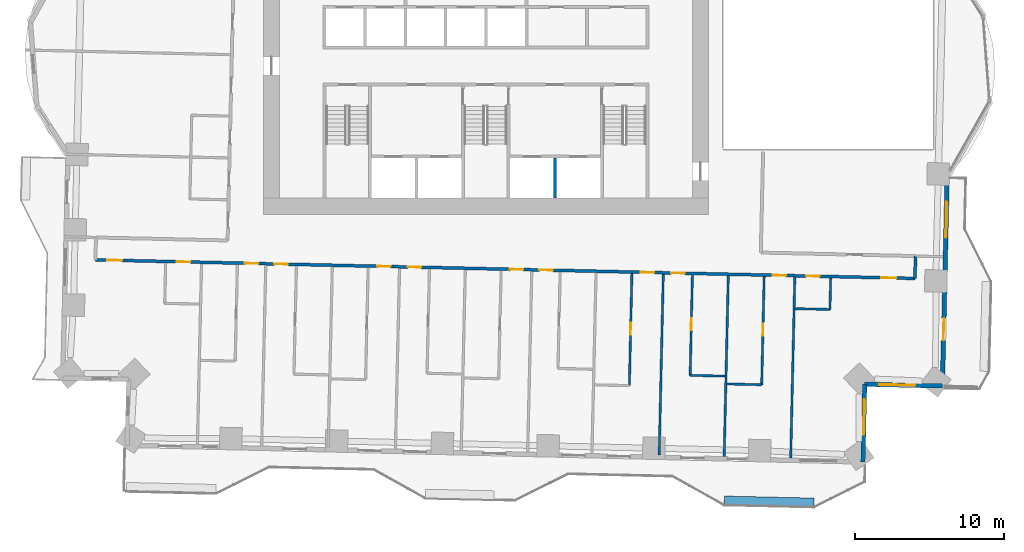
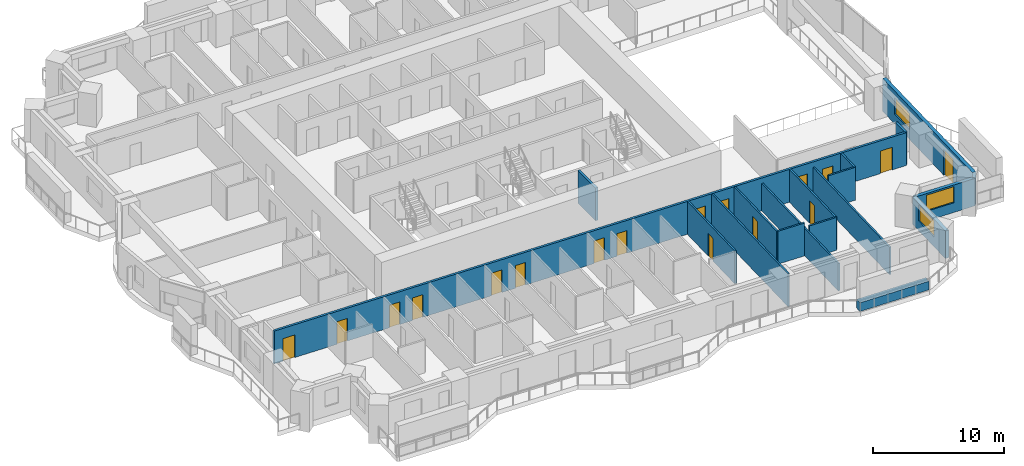
# One storey, part 10 of 20: 17 doors, 17 walls, 3 windows, 20 openings.
"""IFC4 building model written with IfcOpenShell, lengths in metres."""

from ifc_helpers import new_model, si_unit, direction, frame, frame_2d, origin, place, context, subcontext, project, spatial, rectangle, extrude, material, layer, layer_set, type_object, element, fill, save


model = new_model("IFC4")

# Units and contexts
model_context = context("Model", 3, precision=1e-05, world=origin(), true_north=direction((0.0, 1.0)))
body_context = subcontext(model_context, "Body", "Model", "MODEL_VIEW")
ifc_project = project(units=[si_unit("LENGTHUNIT", "METRE"), si_unit("AREAUNIT", "SQUARE_METRE"), si_unit("VOLUMEUNIT", "CUBIC_METRE"), si_unit("PLANEANGLEUNIT", "RADIAN"), si_unit("MASSUNIT", "GRAM", prefix="KILO")], contexts=[model_context])

# Site, building, storey
site_placement = place(None, origin())
site = spatial("IfcSite", under=ifc_project, at=site_placement, CompositionType="ELEMENT")
building_placement = place(site_placement, origin())
building = spatial("IfcBuilding", under=site, at=building_placement, Name="Mangrove Gate Tower", CompositionType="ELEMENT")
storey_placement = place(building_placement, frame((0.0, 0.0, 60.300048828125)))
storey = spatial("IfcBuildingStorey", under=building, at=storey_placement, Name="L14", CompositionType="ELEMENT", Elevation=60.300048828125)

# Wall
ifc_material_1 = material(Name="Concrete C70/85", Category="concrete")
ifc_layer_1 = layer(ifc_material_1, 0.199951171875)
ifc_layer_set_1 = layer_set([ifc_layer_1], Name="Core shaft wall 200 C70/85")
wall_type_1 = type_object("IfcWallType", Name="Core shaft wall 200 C70/85", PredefinedType="SHEAR", material=ifc_layer_set_1)
wall_1_placement = place(storey_placement, frame((4.625, -10.800048828125, 0.0), z_axis=(0.0, 0.0, 1.0), x_axis=(0.0, 1.0, 0.0)))
element("IfcWall", 1, at=wall_1_placement, inside=storey, type_object=wall_type_1, Name="WALL-L14-CORE-18", PredefinedType="SHEAR", context=body_context, shape_type="SweptSolid", body=[
    extrude(rectangle(XDim=2.699951171875, YDim=0.199951171875, at=frame_2d((1.35009765625, 0.0))), origin(), (0.0, 0.0, 1.0), 3.050048828125),
])

# Wall, openings, doors
ifc_material_2 = material(Name="Gypsum board on steel stud, EI 60", Category="steel")
ifc_layer_2 = layer(ifc_material_2, 0.199951171875)
ifc_layer_set_2 = layer_set([ifc_layer_2], Name="Corridor wall EI 60")
wall_type_2 = type_object("IfcWallType", Name="Corridor wall EI 60", PredefinedType="PARTITIONING", material=ifc_layer_set_2)
wall_2_placement = place(storey_placement, frame((-26.1259765625, -14.924072265625, 0.0), z_axis=(0.0, 0.0, 1.0), x_axis=(0.999742687583, -0.0226838847, 0.0)))
wall_2 = element("IfcWall", 2, at=wall_2_placement, inside=storey, type_object=wall_type_2, Name="WALL-L14-034", PredefinedType="PARTITIONING", context=body_context, shape_type="SweptSolid", body=[
    extrude(rectangle(XDim=54.836181640625, YDim=0.199951171875, at=frame_2d((27.41796875, 0.0))), origin(), (0.0, 0.0, 1.0), 3.050048828125),
])
opening_1_placement = place(wall_2_placement, frame((0.77490234375, 0.0, 0.0)))
opening_1 = element("IfcOpeningElement", 3, at=opening_1_placement, cuts=wall_2, Name="Opening AD", PredefinedType="OPENING", context=body_context, shape_type="SweptSolid", body=[
    extrude(rectangle(XDim=1.0, YDim=2.10009765625, at=frame_2d((0.5, 1.050048828125))), frame((0.0, 0.10986328125, 0.0), z_axis=(0.0, -1.0, 0.0), x_axis=(1.0, 0.0, 0.0)), (0.0, 0.0, 1.0), 0.219970703125),
])
opening_2_placement = place(wall_2_placement, frame((5.449951171875, 0.0, 0.0)))
opening_2 = element("IfcOpeningElement", 4, at=opening_2_placement, cuts=wall_2, Name="Opening SD", PredefinedType="OPENING", context=body_context, shape_type="SweptSolid", body=[
    extrude(rectangle(XDim=0.89990234375, YDim=2.10009765625, at=frame_2d((0.449951171875, 1.050048828125))), frame((0.0, 0.10986328125, 0.0), z_axis=(0.0, -1.0, 0.0), x_axis=(1.0, 0.0, 0.0)), (0.0, 0.0, 1.0), 0.219970703125),
])
opening_3_placement = place(wall_2_placement, frame((10.0, 0.0, 0.0)))
opening_3 = element("IfcOpeningElement", 5, at=opening_3_placement, cuts=wall_2, Name="Opening BD", PredefinedType="OPENING", context=body_context, shape_type="SweptSolid", body=[
    extrude(rectangle(XDim=0.89990234375, YDim=2.10009765625, at=frame_2d((0.449951171875, 1.050048828125))), frame((0.0, 0.10986328125, 0.0), z_axis=(0.0, -1.0, 0.0), x_axis=(1.0, 0.0, 0.0)), (0.0, 0.0, 1.0), 0.219970703125),
])
opening_4_placement = place(wall_2_placement, frame((11.97509765625, 0.0, 0.0)))
opening_4 = element("IfcOpeningElement", 6, at=opening_4_placement, cuts=wall_2, Name="Opening BD", PredefinedType="OPENING", context=body_context, shape_type="SweptSolid", body=[
    extrude(rectangle(XDim=0.89990234375, YDim=2.10009765625, at=frame_2d((0.449951171875, 1.050048828125))), frame((0.0, 0.10986328125, 0.0), z_axis=(0.0, -1.0, 0.0), x_axis=(1.0, 0.0, 0.0)), (0.0, 0.0, 1.0), 0.219970703125),
])
opening_5_placement = place(wall_2_placement, frame((18.85009765625, 0.0, 0.0)))
opening_5 = element("IfcOpeningElement", 7, at=opening_5_placement, cuts=wall_2, Name="Opening BD", PredefinedType="OPENING", context=body_context, shape_type="SweptSolid", body=[
    extrude(rectangle(XDim=0.89990234375, YDim=2.10009765625, at=frame_2d((0.449951171875, 1.050048828125))), frame((0.0, 0.10986328125, 0.0), z_axis=(0.0, -1.0, 0.0), x_axis=(1.0, 0.0, 0.0)), (0.0, 0.0, 1.0), 0.219970703125),
])
opening_6_placement = place(wall_2_placement, frame((20.89990234375, 0.0, 0.0)))
opening_6 = element("IfcOpeningElement", 8, at=opening_6_placement, cuts=wall_2, Name="Opening BD", PredefinedType="OPENING", context=body_context, shape_type="SweptSolid", body=[
    extrude(rectangle(XDim=0.89990234375, YDim=2.10009765625, at=frame_2d((0.449951171875, 1.050048828125))), frame((0.0, 0.10986328125, 0.0), z_axis=(0.0, -1.0, 0.0), x_axis=(1.0, 0.0, 0.0)), (0.0, 0.0, 1.0), 0.219970703125),
])
opening_7_placement = place(wall_2_placement, frame((27.72509765625, 0.0, 0.0)))
opening_7 = element("IfcOpeningElement", 9, at=opening_7_placement, cuts=wall_2, Name="Opening BD", PredefinedType="OPENING", context=body_context, shape_type="SweptSolid", body=[
    extrude(rectangle(XDim=0.89990234375, YDim=2.10009765625, at=frame_2d((0.449951171875, 1.050048828125))), frame((0.0, 0.10986328125, 0.0), z_axis=(0.0, -1.0, 0.0), x_axis=(1.0, 0.0, 0.0)), (0.0, 0.0, 1.0), 0.219970703125),
])
opening_8_placement = place(wall_2_placement, frame((29.699951171875, 0.0, 0.0)))
opening_8 = element("IfcOpeningElement", 10, at=opening_8_placement, cuts=wall_2, Name="Opening BD", PredefinedType="OPENING", context=body_context, shape_type="SweptSolid", body=[
    extrude(rectangle(XDim=0.89990234375, YDim=2.10009765625, at=frame_2d((0.449951171875, 1.050048828125))), frame((0.0, 0.10986328125, 0.0), z_axis=(0.0, -1.0, 0.0), x_axis=(1.0, 0.0, 0.0)), (0.0, 0.0, 1.0), 0.219970703125),
])
opening_9_placement = place(wall_2_placement, frame((36.5, 0.0, 0.0)))
opening_9 = element("IfcOpeningElement", 11, at=opening_9_placement, cuts=wall_2, Name="Opening BD", PredefinedType="OPENING", context=body_context, shape_type="SweptSolid", body=[
    extrude(rectangle(XDim=0.89990234375, YDim=2.10009765625, at=frame_2d((0.449951171875, 1.050048828125))), frame((0.0, 0.10986328125, 0.0), z_axis=(0.0, -1.0, 0.0), x_axis=(1.0, 0.0, 0.0)), (0.0, 0.0, 1.0), 0.219970703125),
])
opening_10_placement = place(wall_2_placement, frame((38.52490234375, 0.0, 0.0)))
opening_10 = element("IfcOpeningElement", 12, at=opening_10_placement, cuts=wall_2, Name="Opening BD", PredefinedType="OPENING", context=body_context, shape_type="SweptSolid", body=[
    extrude(rectangle(XDim=0.89990234375, YDim=2.10009765625, at=frame_2d((0.449951171875, 1.050048828125))), frame((0.0, 0.10986328125, 0.0), z_axis=(0.0, -1.0, 0.0), x_axis=(1.0, 0.0, 0.0)), (0.0, 0.0, 1.0), 0.219970703125),
])
opening_11_placement = place(wall_2_placement, frame((45.324951171875, 0.0, 0.0)))
opening_11 = element("IfcOpeningElement", 13, at=opening_11_placement, cuts=wall_2, Name="Opening BD", PredefinedType="OPENING", context=body_context, shape_type="SweptSolid", body=[
    extrude(rectangle(XDim=0.89990234375, YDim=2.10009765625, at=frame_2d((0.449951171875, 1.050048828125))), frame((0.0, 0.10986328125, 0.0), z_axis=(0.0, -1.0, 0.0), x_axis=(1.0, 0.0, 0.0)), (0.0, 0.0, 1.0), 0.219970703125),
])
opening_12_placement = place(wall_2_placement, frame((52.593017578125, 0.0, 0.0)))
opening_12 = element("IfcOpeningElement", 14, at=opening_12_placement, cuts=wall_2, Name="Opening AD", PredefinedType="OPENING", context=body_context, shape_type="SweptSolid", body=[
    extrude(rectangle(XDim=1.0, YDim=2.10009765625, at=frame_2d((0.5, 1.050048828125))), frame((0.0, 0.10986328125, 0.0), z_axis=(0.0, -1.0, 0.0), x_axis=(1.0, 0.0, 0.0)), (0.0, 0.0, 1.0), 0.219970703125),
])
opening_13_placement = place(wall_2_placement, frame((47.550048828125, 0.0, 0.0)))
opening_13 = element("IfcOpeningElement", 15, at=opening_13_placement, cuts=wall_2, Name="Opening SD", PredefinedType="OPENING", context=body_context, shape_type="SweptSolid", body=[
    extrude(rectangle(XDim=0.89990234375, YDim=2.10009765625, at=frame_2d((0.449951171875, 1.050048828125))), frame((0.0, 0.10986328125, 0.0), z_axis=(0.0, -1.0, 0.0), x_axis=(1.0, 0.0, 0.0)), (0.0, 0.0, 1.0), 0.219970703125),
])
ifc_material_3 = material(Name="Timber door leaf", Category="wood")
door_type_1 = type_object("IfcDoorType", Name="Amenity door 1000", OperationType="SINGLE_SWING_LEFT", PredefinedType="DOOR", material=ifc_material_3)
door_1_placement = place(opening_1_placement, origin())
door_1 = element("IfcDoor", 16, at=door_1_placement, inside=storey, type_object=door_type_1, Name="DOOR-L14-LNG-c1a", OperationType="SINGLE_SWING_LEFT", OverallHeight=2.10009765625, OverallWidth=1.0, PredefinedType="DOOR", context=body_context, shape_type="SweptSolid", body=[
    extrude(rectangle(XDim=1.0, YDim=2.10009765625, at=frame_2d((0.5, 1.050048828125))), frame((0.0, 0.02490234375, 0.0), z_axis=(0.0, -1.0, 0.0), x_axis=(1.0, 0.0, 0.0)), (0.0, 0.0, 1.0), 0.050048828125),
])
fill(opening_1, door_1)
door_2_placement = place(opening_12_placement, origin())
door_2 = element("IfcDoor", 17, at=door_2_placement, inside=storey, type_object=door_type_1, Name="DOOR-L14-LNG-c3a", OperationType="SINGLE_SWING_RIGHT", OverallHeight=2.10009765625, OverallWidth=1.0, PredefinedType="DOOR", context=body_context, shape_type="SweptSolid", body=[
    extrude(rectangle(XDim=1.0, YDim=2.10009765625, at=frame_2d((0.5, 1.050048828125))), frame((0.0, 0.02490234375, 0.0), z_axis=(0.0, -1.0, 0.0), x_axis=(1.0, 0.0, 0.0)), (0.0, 0.0, 1.0), 0.050048828125),
])
fill(opening_12, door_2)
ifc_material_4 = material(Name="Timber door leaf", Category="wood")
door_type_2 = type_object("IfcDoorType", Name="Bedroom door 900", OperationType="SINGLE_SWING_LEFT", PredefinedType="DOOR", material=ifc_material_4)
door_3_placement = place(opening_3_placement, origin())
door_3 = element("IfcDoor", 18, at=door_3_placement, inside=storey, type_object=door_type_2, Name="DOOR-L14-BED-c101", OperationType="SINGLE_SWING_LEFT", OverallHeight=2.10009765625, OverallWidth=0.89990234375, PredefinedType="DOOR", context=body_context, shape_type="SweptSolid", body=[
    extrude(rectangle(XDim=0.89990234375, YDim=2.10009765625, at=frame_2d((0.449951171875, 1.050048828125))), frame((0.0, 0.02490234375, 0.0), z_axis=(0.0, -1.0, 0.0), x_axis=(1.0, 0.0, 0.0)), (0.0, 0.0, 1.0), 0.050048828125),
])
fill(opening_3, door_3)
door_4_placement = place(opening_4_placement, origin())
door_4 = element("IfcDoor", 19, at=door_4_placement, inside=storey, type_object=door_type_2, Name="DOOR-L14-BED-c102", OperationType="SINGLE_SWING_RIGHT", OverallHeight=2.10009765625, OverallWidth=0.89990234375, PredefinedType="DOOR", context=body_context, shape_type="SweptSolid", body=[
    extrude(rectangle(XDim=0.89990234375, YDim=2.10009765625, at=frame_2d((0.449951171875, 1.050048828125))), frame((0.0, 0.02490234375, 0.0), z_axis=(0.0, -1.0, 0.0), x_axis=(1.0, 0.0, 0.0)), (0.0, 0.0, 1.0), 0.050048828125),
])
fill(opening_4, door_4)
door_5_placement = place(opening_5_placement, origin())
door_5 = element("IfcDoor", 20, at=door_5_placement, inside=storey, type_object=door_type_2, Name="DOOR-L14-BED-c103", OperationType="SINGLE_SWING_LEFT", OverallHeight=2.10009765625, OverallWidth=0.89990234375, PredefinedType="DOOR", context=body_context, shape_type="SweptSolid", body=[
    extrude(rectangle(XDim=0.89990234375, YDim=2.10009765625, at=frame_2d((0.449951171875, 1.050048828125))), frame((0.0, 0.02490234375, 0.0), z_axis=(0.0, -1.0, 0.0), x_axis=(1.0, 0.0, 0.0)), (0.0, 0.0, 1.0), 0.050048828125),
])
fill(opening_5, door_5)
door_6_placement = place(opening_6_placement, origin())
door_6 = element("IfcDoor", 21, at=door_6_placement, inside=storey, type_object=door_type_2, Name="DOOR-L14-BED-c104", OperationType="SINGLE_SWING_RIGHT", OverallHeight=2.10009765625, OverallWidth=0.89990234375, PredefinedType="DOOR", context=body_context, shape_type="SweptSolid", body=[
    extrude(rectangle(XDim=0.89990234375, YDim=2.10009765625, at=frame_2d((0.449951171875, 1.050048828125))), frame((0.0, 0.02490234375, 0.0), z_axis=(0.0, -1.0, 0.0), x_axis=(1.0, 0.0, 0.0)), (0.0, 0.0, 1.0), 0.050048828125),
])
fill(opening_6, door_6)
door_7_placement = place(opening_7_placement, origin())
door_7 = element("IfcDoor", 22, at=door_7_placement, inside=storey, type_object=door_type_2, Name="DOOR-L14-BED-c205", OperationType="SINGLE_SWING_LEFT", OverallHeight=2.10009765625, OverallWidth=0.89990234375, PredefinedType="DOOR", context=body_context, shape_type="SweptSolid", body=[
    extrude(rectangle(XDim=0.89990234375, YDim=2.10009765625, at=frame_2d((0.449951171875, 1.050048828125))), frame((0.0, 0.02490234375, 0.0), z_axis=(0.0, -1.0, 0.0), x_axis=(1.0, 0.0, 0.0)), (0.0, 0.0, 1.0), 0.050048828125),
])
fill(opening_7, door_7)
door_8_placement = place(opening_8_placement, origin())
door_8 = element("IfcDoor", 23, at=door_8_placement, inside=storey, type_object=door_type_2, Name="DOOR-L14-BED-c206", OperationType="SINGLE_SWING_RIGHT", OverallHeight=2.10009765625, OverallWidth=0.89990234375, PredefinedType="DOOR", context=body_context, shape_type="SweptSolid", body=[
    extrude(rectangle(XDim=0.89990234375, YDim=2.10009765625, at=frame_2d((0.449951171875, 1.050048828125))), frame((0.0, 0.02490234375, 0.0), z_axis=(0.0, -1.0, 0.0), x_axis=(1.0, 0.0, 0.0)), (0.0, 0.0, 1.0), 0.050048828125),
])
fill(opening_8, door_8)
door_9_placement = place(opening_9_placement, origin())
door_9 = element("IfcDoor", 24, at=door_9_placement, inside=storey, type_object=door_type_2, Name="DOOR-L14-BED-c207", OperationType="SINGLE_SWING_LEFT", OverallHeight=2.10009765625, OverallWidth=0.89990234375, PredefinedType="DOOR", context=body_context, shape_type="SweptSolid", body=[
    extrude(rectangle(XDim=0.89990234375, YDim=2.10009765625, at=frame_2d((0.449951171875, 1.050048828125))), frame((0.0, 0.02490234375, 0.0), z_axis=(0.0, -1.0, 0.0), x_axis=(1.0, 0.0, 0.0)), (0.0, 0.0, 1.0), 0.050048828125),
])
fill(opening_9, door_9)
door_10_placement = place(opening_10_placement, origin())
door_10 = element("IfcDoor", 25, at=door_10_placement, inside=storey, type_object=door_type_2, Name="DOOR-L14-BED-c308", OperationType="SINGLE_SWING_RIGHT", OverallHeight=2.10009765625, OverallWidth=0.89990234375, PredefinedType="DOOR", context=body_context, shape_type="SweptSolid", body=[
    extrude(rectangle(XDim=0.89990234375, YDim=2.10009765625, at=frame_2d((0.449951171875, 1.050048828125))), frame((0.0, 0.02490234375, 0.0), z_axis=(0.0, -1.0, 0.0), x_axis=(1.0, 0.0, 0.0)), (0.0, 0.0, 1.0), 0.050048828125),
])
fill(opening_10, door_10)
door_11_placement = place(opening_11_placement, origin())
door_11 = element("IfcDoor", 26, at=door_11_placement, inside=storey, type_object=door_type_2, Name="DOOR-L14-BED-c309", OperationType="SINGLE_SWING_LEFT", OverallHeight=2.10009765625, OverallWidth=0.89990234375, PredefinedType="DOOR", context=body_context, shape_type="SweptSolid", body=[
    extrude(rectangle(XDim=0.89990234375, YDim=2.10009765625, at=frame_2d((0.449951171875, 1.050048828125))), frame((0.0, 0.02490234375, 0.0), z_axis=(0.0, -1.0, 0.0), x_axis=(1.0, 0.0, 0.0)), (0.0, 0.0, 1.0), 0.050048828125),
])
fill(opening_11, door_11)
ifc_material_5 = material(Name="Timber door leaf", Category="wood")
door_type_3 = type_object("IfcDoorType", Name="Service room door 900", OperationType="SINGLE_SWING_LEFT", PredefinedType="DOOR", material=ifc_material_5)
door_12_placement = place(opening_2_placement, origin())
door_12 = element("IfcDoor", 27, at=door_12_placement, inside=storey, type_object=door_type_3, Name="DOOR-L14-WC-c1a", OperationType="SINGLE_SWING_LEFT", OverallHeight=2.10009765625, OverallWidth=0.89990234375, PredefinedType="DOOR", context=body_context, shape_type="SweptSolid", body=[
    extrude(rectangle(XDim=0.89990234375, YDim=2.10009765625, at=frame_2d((0.449951171875, 1.050048828125))), frame((0.0, 0.02490234375, 0.0), z_axis=(0.0, -1.0, 0.0), x_axis=(1.0, 0.0, 0.0)), (0.0, 0.0, 1.0), 0.050048828125),
])
fill(opening_2, door_12)
door_13_placement = place(opening_13_placement, origin())
door_13 = element("IfcDoor", 28, at=door_13_placement, inside=storey, type_object=door_type_3, Name="DOOR-L14-LIN-c3a", OperationType="SINGLE_SWING_RIGHT", OverallHeight=2.10009765625, OverallWidth=0.89990234375, PredefinedType="DOOR", context=body_context, shape_type="SweptSolid", body=[
    extrude(rectangle(XDim=0.89990234375, YDim=2.10009765625, at=frame_2d((0.449951171875, 1.050048828125))), frame((0.0, 0.02490234375, 0.0), z_axis=(0.0, -1.0, 0.0), x_axis=(1.0, 0.0, 0.0)), (0.0, 0.0, 1.0), 0.050048828125),
])
fill(opening_13, door_13)

# Wall
wall_3_placement = place(storey_placement, frame((28.697998046875, -16.1689453125, 0.0), z_axis=(0.0, 0.0, 1.0), x_axis=(0.022617910375, 0.999744182344, 0.0)))
element("IfcWall", 29, at=wall_3_placement, inside=storey, type_object=wall_type_2, Name="WALL-L14-035", PredefinedType="PARTITIONING", context=body_context, shape_type="SweptSolid", body=[
    extrude(rectangle(XDim=1.50048828125, YDim=0.199951171875, at=frame_2d((0.750244140625, 0.0))), origin(), (0.0, 0.0, 1.0), 3.050048828125),
])

# Wall, openings, door, window
ifc_material_6 = material(Name="Limestone", Category="masonry")
ifc_layer_3 = layer(ifc_material_6, 0.0400390625, Name="Limestone cladding")
ifc_material_7 = material(Name="Ventilated air gap")
ifc_layer_4 = layer(ifc_material_7, 0.0400390625, Name="Ventilated cavity")
ifc_material_8 = material(Name="Mineral wool insulation")
ifc_layer_5 = layer(ifc_material_8, 0.06005859375, Name="Insulation")
ifc_material_9 = material(Name="Breather membrane")
ifc_layer_6 = layer(ifc_material_9, 0.001953125, Name="Breather membrane")
ifc_material_10 = material(Name="Concrete C20/25 blockwork", Category="masonry")
ifc_layer_7 = layer(ifc_material_10, 0.14990234375, Name="Blockwork backing wall")
ifc_material_11 = material(Name="Gypsum plaster")
ifc_layer_8 = layer(ifc_material_11, 0.008056640625, Name="Internal plaster")
ifc_layer_set_3 = layer_set([ifc_layer_3, ifc_layer_4, ifc_layer_5, ifc_layer_6, ifc_layer_7, ifc_layer_8], Name="External wall 300 limestone cladding")
wall_type_3 = type_object("IfcWallType", Name="External wall 300 limestone cladding", PredefinedType="SOLIDWALL", material=ifc_layer_set_3)
wall_4_placement = place(storey_placement, frame((30.532958984375, -23.362060546875, 0.0), z_axis=(0.0, 0.0, 1.0), x_axis=(0.022698800888, 0.999742349027, 0.0)))
wall_4 = element("IfcWall", 30, at=wall_4_placement, inside=storey, type_object=wall_type_3, Name="WALL-L14-E0", PredefinedType="SOLIDWALL", context=body_context, shape_type="SweptSolid", body=[
    extrude(rectangle(XDim=14.229736328125, YDim=0.300048828125, at=frame_2d((7.11474609375, 0.0))), origin(), (0.0, 0.0, 1.0), 3.050048828125),
])
opening_14_placement = place(wall_4_placement, frame((3.050048828125, 0.0, 0.0)))
opening_14 = element("IfcOpeningElement", 31, at=opening_14_placement, cuts=wall_4, Name="Opening BD1", PredefinedType="OPENING", context=body_context, shape_type="SweptSolid", body=[
    extrude(rectangle(XDim=1.5, YDim=2.39990234375, at=frame_2d((0.75, 1.199951171875))), frame((0.0, 0.159912109375, 0.0), z_axis=(0.0, -1.0, 0.0), x_axis=(1.0, 0.0, 0.0)), (0.0, 0.0, 1.0), 0.320068359375),
])
opening_15_placement = place(wall_4_placement, frame((9.93701171875, 0.0, 0.89990234375)))
opening_15 = element("IfcOpeningElement", 32, at=opening_15_placement, cuts=wall_4, Name="Opening W2", PredefinedType="OPENING", context=body_context, shape_type="SweptSolid", body=[
    extrude(rectangle(XDim=2.39990234375, YDim=1.5, at=frame_2d((1.199951171875, 0.75))), frame((0.0, 0.159912109375, 0.0), z_axis=(0.0, -1.0, 0.0), x_axis=(1.0, 0.0, 0.0)), (0.0, 0.0, 1.0), 0.320068359375),
])
ifc_material_12 = material(Name="Aluminium frame with laminated clear glass", Category="aluminium")
door_type_4 = type_object("IfcDoorType", Name="Balcony sliding door 1500x2400", OperationType="SLIDING_TO_LEFT", PredefinedType="DOOR", material=ifc_material_12)
door_14_placement = place(opening_14_placement, origin())
door_14 = element("IfcDoor", 33, at=door_14_placement, inside=storey, type_object=door_type_4, Name="DOOR-L14-E0-1", OperationType="SLIDING_TO_LEFT", OverallHeight=2.39990234375, OverallWidth=1.5, PredefinedType="DOOR", context=body_context, shape_type="SweptSolid", body=[
    extrude(rectangle(XDim=1.5, YDim=2.39990234375, at=frame_2d((0.75, 1.199951171875))), frame((0.0, 0.02490234375, 0.0), z_axis=(0.0, -1.0, 0.0), x_axis=(1.0, 0.0, 0.0)), (0.0, 0.0, 1.0), 0.050048828125),
])
fill(opening_14, door_14)
ifc_material_13 = material(Name="Aluminium frame with double-glazed low-e glass", Category="aluminium")
window_type = type_object("IfcWindowType", Name="Corner room window 2400x1500", PartitioningType="DOUBLE_PANEL_VERTICAL", PredefinedType="WINDOW", material=ifc_material_13)
window_1_placement = place(opening_15_placement, origin())
window_1 = element("IfcWindow", 34, at=window_1_placement, inside=storey, type_object=window_type, Name="WIN-L14-E0-2", OverallHeight=1.5, OverallWidth=2.39990234375, PartitioningType="DOUBLE_PANEL_VERTICAL", PredefinedType="WINDOW", context=body_context, shape_type="SweptSolid", body=[
    extrude(rectangle(XDim=2.39990234375, YDim=1.5, at=frame_2d((1.199951171875, 0.75))), frame((0.0, 0.030029296875, 0.0), z_axis=(0.0, -1.0, 0.0), x_axis=(1.0, 0.0, 0.0)), (0.0, 0.0, 1.0), 0.06005859375),
])
fill(opening_15, window_1)

# Wall, opening, window
wall_5_placement = place(storey_placement, frame((25.216064453125, -28.443115234375, 0.0), z_axis=(0.0, 0.0, 1.0), x_axis=(0.022674484462, 0.999742900827, 0.0)))
wall_5 = element("IfcWall", 35, at=wall_5_placement, inside=storey, type_object=wall_type_3, Name="WALL-L14-E14", PredefinedType="SOLIDWALL", context=body_context, shape_type="SweptSolid", body=[
    extrude(rectangle(XDim=5.200439453125, YDim=0.300048828125, at=frame_2d((2.60009765625, 0.0))), origin(), (0.0, 0.0, 1.0), 2.550048828125),
])
opening_16_placement = place(wall_5_placement, frame((1.81103515625, 0.0, 0.89990234375)))
opening_16 = element("IfcOpeningElement", 36, at=opening_16_placement, cuts=wall_5, Name="Opening W2", PredefinedType="OPENING", context=body_context, shape_type="SweptSolid", body=[
    extrude(rectangle(XDim=2.39990234375, YDim=1.5, at=frame_2d((1.199951171875, 0.75))), frame((0.0, 0.159912109375, 0.0), z_axis=(0.0, -1.0, 0.0), x_axis=(1.0, 0.0, 0.0)), (0.0, 0.0, 1.0), 0.320068359375),
])
window_2_placement = place(opening_16_placement, origin())
window_2 = element("IfcWindow", 37, at=window_2_placement, inside=storey, type_object=window_type, Name="WIN-L14-E14-1", OverallHeight=1.5, OverallWidth=2.39990234375, PartitioningType="DOUBLE_PANEL_VERTICAL", PredefinedType="WINDOW", context=body_context, shape_type="SweptSolid", body=[
    extrude(rectangle(XDim=2.39990234375, YDim=1.5, at=frame_2d((1.199951171875, 0.75))), frame((0.0, 0.030029296875, 0.0), z_axis=(0.0, -1.0, 0.0), x_axis=(1.0, 0.0, 0.0)), (0.0, 0.0, 1.0), 0.06005859375),
])
fill(opening_16, window_2)

wall_6_placement = place(storey_placement, frame((25.333984375, -23.243896484375, 0.0), z_axis=(0.0, 0.0, 1.0), x_axis=(0.999741811307, -0.022722471786, 0.0)))
wall_6 = element("IfcWall", 38, at=wall_6_placement, inside=storey, type_object=wall_type_3, Name="WALL-L14-S15", PredefinedType="SOLIDWALL", context=body_context, shape_type="SweptSolid", body=[
    extrude(rectangle(XDim=5.2001953125, YDim=0.300048828125, at=frame_2d((2.60009765625, 0.0))), origin(), (0.0, 0.0, 1.0), 2.550048828125),
])
opening_17_placement = place(wall_6_placement, frame((0.988037109375, 0.0, 0.89990234375)))
opening_17 = element("IfcOpeningElement", 39, at=opening_17_placement, cuts=wall_6, Name="Opening W2", PredefinedType="OPENING", context=body_context, shape_type="SweptSolid", body=[
    extrude(rectangle(XDim=2.39990234375, YDim=1.5, at=frame_2d((1.199951171875, 0.75))), frame((0.0, 0.159912109375, 0.0), z_axis=(0.0, -1.0, 0.0), x_axis=(1.0, 0.0, 0.0)), (0.0, 0.0, 1.0), 0.320068359375),
])
window_3_placement = place(opening_17_placement, origin())
window_3 = element("IfcWindow", 40, at=window_3_placement, inside=storey, type_object=window_type, Name="WIN-L14-S15-1", OverallHeight=1.5, OverallWidth=2.39990234375, PartitioningType="DOUBLE_PANEL_VERTICAL", PredefinedType="WINDOW", context=body_context, shape_type="SweptSolid", body=[
    extrude(rectangle(XDim=2.39990234375, YDim=1.5, at=frame_2d((1.199951171875, 0.75))), frame((0.0, 0.030029296875, 0.0), z_axis=(0.0, -1.0, 0.0), x_axis=(1.0, 0.0, 0.0)), (0.0, 0.0, 1.0), 0.06005859375),
])
fill(opening_17, window_3)

# Walls
ifc_material_14 = material(Name="Gypsum board on steel stud, EI 60", Category="steel")
ifc_layer_9 = layer(ifc_material_14, 0.14990234375)
ifc_layer_set_4 = layer_set([ifc_layer_9], Name="Party wall 150 EI 60")
wall_type_4 = type_object("IfcWallType", Name="Party wall 150 EI 60", PredefinedType="PARTITIONING", material=ifc_layer_set_4)
wall_7_placement = place(storey_placement, frame((11.5849609375, -27.98388671875, 0.0), z_axis=(0.0, 0.0, 1.0), x_axis=(0.022737445516, 0.999741470867, 0.0)))
element("IfcWall", 41, at=wall_7_placement, inside=storey, type_object=wall_type_4, Name="WALL-L14-008", PredefinedType="PARTITIONING", context=body_context, shape_type="SweptSolid", body=[
    extrude(rectangle(XDim=12.10107421875, YDim=0.14990234375, at=frame_2d((6.050537109375, 0.0))), origin(), (0.0, 0.0, 1.0), 3.050048828125),
])
wall_8_placement = place(storey_placement, frame((15.93408203125, -28.08203125, 0.0), z_axis=(0.0, 0.0, 1.0), x_axis=(0.022719113715, 0.999741887625, 0.0)))
element("IfcWall", 42, at=wall_8_placement, inside=storey, type_object=wall_type_4, Name="WALL-L14-009", PredefinedType="PARTITIONING", context=body_context, shape_type="SweptSolid", body=[
    extrude(rectangle(XDim=12.10009765625, YDim=0.14990234375, at=frame_2d((6.050048828125, 0.0))), origin(), (0.0, 0.0, 1.0), 2.550048828125),
])
wall_9_placement = place(storey_placement, frame((20.383056640625, -28.18310546875, 0.0), z_axis=(0.0, 0.0, 1.0), x_axis=(0.022637991173, 0.99974372784, 0.0)))
element("IfcWall", 43, at=wall_9_placement, inside=storey, type_object=wall_type_4, Name="WALL-L14-010", PredefinedType="PARTITIONING", context=body_context, shape_type="SweptSolid", body=[
    extrude(rectangle(XDim=12.100341796875, YDim=0.14990234375, at=frame_2d((6.05029296875, 0.0))), origin(), (0.0, 0.0, 1.0), 2.550048828125),
])

# Wall, opening, door
wall_10_placement = place(storey_placement, frame((9.590087890625, -23.3369140625, 0.0), z_axis=(0.0, 0.0, 1.0), x_axis=(0.022657071855, 0.999743295599, 0.0)))
wall_10 = element("IfcWall", 44, at=wall_10_placement, inside=storey, type_object=wall_type_4, Name="WALL-L14-014", PredefinedType="PARTITIONING", context=body_context, shape_type="SweptSolid", body=[
    extrude(rectangle(XDim=7.499755859375, YDim=0.14990234375, at=frame_2d((3.75, 0.0))), origin(), (0.0, 0.0, 1.0), 3.050048828125),
])
opening_18_placement = place(wall_10_placement, frame((3.39990234375, 0.0, 0.0)))
opening_18 = element("IfcOpeningElement", 45, at=opening_18_placement, cuts=wall_10, Name="Opening ED", PredefinedType="OPENING", context=body_context, shape_type="SweptSolid", body=[
    extrude(rectangle(XDim=0.800048828125, YDim=2.10009765625, at=frame_2d((0.39990234375, 1.050048828125))), frame((0.0, 0.0849609375, 0.0), z_axis=(0.0, -1.0, 0.0), x_axis=(1.0, 0.0, 0.0)), (0.0, 0.0, 1.0), 0.169921875),
])
ifc_material_15 = material(Name="Timber door leaf", Category="wood")
door_type_5 = type_object("IfcDoorType", Name="En-suite door 800", OperationType="SINGLE_SWING_LEFT", PredefinedType="DOOR", material=ifc_material_15)
door_15_placement = place(opening_18_placement, origin())
door_15 = element("IfcDoor", 46, at=door_15_placement, inside=storey, type_object=door_type_5, Name="DOOR-L14-ENS-c207", OperationType="SINGLE_SWING_LEFT", OverallHeight=2.10009765625, OverallWidth=0.800048828125, PredefinedType="DOOR", context=body_context, shape_type="SweptSolid", body=[
    extrude(rectangle(XDim=0.800048828125, YDim=2.10009765625, at=frame_2d((0.39990234375, 1.050048828125))), frame((0.0, 0.02490234375, 0.0), z_axis=(0.0, -1.0, 0.0), x_axis=(1.0, 0.0, 0.0)), (0.0, 0.0, 1.0), 0.050048828125),
])
fill(opening_18, door_15)

# Wall
wall_11_placement = place(storey_placement, frame((16.12109375, -23.22509765625, 0.0), z_axis=(0.0, 0.0, 1.0), x_axis=(0.999740478815, -0.022781023197, 0.0)))
element("IfcWall", 47, at=wall_11_placement, inside=storey, type_object=wall_type_4, Name="WALL-L14-019", PredefinedType="PARTITIONING", context=body_context, shape_type="SweptSolid", body=[
    extrude(rectangle(XDim=2.325439453125, YDim=0.14990234375, at=frame_2d((1.16259765625, 0.0))), origin(), (0.0, 0.0, 1.0), 3.050048828125),
])

# Wall, opening, door
wall_12_placement = place(storey_placement, frame((18.444091796875, -23.278076171875, 0.0), z_axis=(0.0, 0.0, 1.0), x_axis=(0.022627186748, 0.999743972435, 0.0)))
wall_12 = element("IfcWall", 48, at=wall_12_placement, inside=storey, type_object=wall_type_4, Name="WALL-L14-020", PredefinedType="PARTITIONING", context=body_context, shape_type="SweptSolid", body=[
    extrude(rectangle(XDim=7.239990234375, YDim=0.14990234375, at=frame_2d((3.6201171875, 0.0))), origin(), (0.0, 0.0, 1.0), 3.050048828125),
])
opening_19_placement = place(wall_12_placement, frame((3.27001953125, 0.0, 0.0)))
opening_19 = element("IfcOpeningElement", 49, at=opening_19_placement, cuts=wall_12, Name="Opening ED", PredefinedType="OPENING", context=body_context, shape_type="SweptSolid", body=[
    extrude(rectangle(XDim=0.800048828125, YDim=2.10009765625, at=frame_2d((0.39990234375, 1.050048828125))), frame((0.0, 0.0849609375, 0.0), z_axis=(0.0, -1.0, 0.0), x_axis=(1.0, 0.0, 0.0)), (0.0, 0.0, 1.0), 0.169921875),
])
door_16_placement = place(opening_19_placement, origin())
door_16 = element("IfcDoor", 50, at=door_16_placement, inside=storey, type_object=door_type_5, Name="DOOR-L14-ENS-c309", OperationType="SINGLE_SWING_LEFT", OverallHeight=2.10009765625, OverallWidth=0.800048828125, PredefinedType="DOOR", context=body_context, shape_type="SweptSolid", body=[
    extrude(rectangle(XDim=0.800048828125, YDim=2.10009765625, at=frame_2d((0.39990234375, 1.050048828125))), frame((0.0, 0.02490234375, 0.0), z_axis=(0.0, -1.0, 0.0), x_axis=(1.0, 0.0, 0.0)), (0.0, 0.0, 1.0), 0.050048828125),
])
fill(opening_19, door_16)

wall_13_placement = place(storey_placement, frame((13.656982421875, -22.64892578125, 0.0), z_axis=(0.0, 0.0, 1.0), x_axis=(0.022634748998, 0.99974380125, 0.0)))
wall_13 = element("IfcWall", 51, at=wall_13_placement, inside=storey, type_object=wall_type_4, Name="WALL-L14-023", PredefinedType="PARTITIONING", context=body_context, shape_type="SweptSolid", body=[
    extrude(rectangle(XDim=6.7197265625, YDim=0.14990234375, at=frame_2d((3.35986328125, 0.0))), origin(), (0.0, 0.0, 1.0), 3.050048828125),
])
opening_20_placement = place(wall_13_placement, frame((3.010009765625, 0.0, 0.0)))
opening_20 = element("IfcOpeningElement", 52, at=opening_20_placement, cuts=wall_13, Name="Opening ED", PredefinedType="OPENING", context=body_context, shape_type="SweptSolid", body=[
    extrude(rectangle(XDim=0.800048828125, YDim=2.10009765625, at=frame_2d((0.39990234375, 1.050048828125))), frame((0.0, 0.0849609375, 0.0), z_axis=(0.0, -1.0, 0.0), x_axis=(1.0, 0.0, 0.0)), (0.0, 0.0, 1.0), 0.169921875),
])
door_17_placement = place(opening_20_placement, origin())
door_17 = element("IfcDoor", 53, at=door_17_placement, inside=storey, type_object=door_type_5, Name="DOOR-L14-ENS-c308", OperationType="SINGLE_SWING_RIGHT", OverallHeight=2.10009765625, OverallWidth=0.800048828125, PredefinedType="DOOR", context=body_context, shape_type="SweptSolid", body=[
    extrude(rectangle(XDim=0.800048828125, YDim=2.10009765625, at=frame_2d((0.39990234375, 1.050048828125))), frame((0.0, 0.02490234375, 0.0), z_axis=(0.0, -1.0, 0.0), x_axis=(1.0, 0.0, 0.0)), (0.0, 0.0, 1.0), 0.050048828125),
])
fill(opening_20, door_17)

# Walls
for number, where, z_axis, x_axis, name in (
    (54, (13.658935546875, -22.64892578125, 0.0), (0.0, 0.0, 1.0), (0.999740260747, -0.02279059109, 0.0), "WALL-L14-024"),
    (55, (20.68701171875, -18.18701171875, 0.0), (0.0, 0.0, 1.0), (0.999740260747, -0.02279059109, 0.0), "WALL-L14-031"),
):
    element("IfcWall", number, at=place(storey_placement, frame(where, z_axis=z_axis, x_axis=x_axis)), inside=storey, type_object=wall_type_4, Name=name, PredefinedType="PARTITIONING", context=body_context, shape_type="SweptSolid", body=[
        extrude(rectangle(XDim=2.324462890625, YDim=0.14990234375, at=frame_2d((1.162109375, 0.0))), origin(), (0.0, 0.0, 1.0), 3.050048828125),
    ])
wall_14_placement = place(storey_placement, frame((23.009033203125, -18.239990234375, 0.0), z_axis=(0.0, 0.0, 1.0), x_axis=(0.022792727877, 0.999740212033, 0.0)))
element("IfcWall", 56, at=wall_14_placement, inside=storey, type_object=wall_type_4, Name="WALL-L14-032", PredefinedType="PARTITIONING", context=body_context, shape_type="SweptSolid", body=[
    extrude(rectangle(XDim=2.099365234375, YDim=0.14990234375, at=frame_2d((1.0498046875, 0.0))), origin(), (0.0, 0.0, 1.0), 3.050048828125),
])
ifc_material_16 = material(Name="Concrete C32/40", Category="concrete")
ifc_layer_10 = layer(ifc_material_16, 0.199951171875, Name="Planter trough wall")
ifc_material_17 = material(Name="Bituminous waterproofing membrane")
ifc_layer_11 = layer(ifc_material_17, 0.0048828125, Name="Waterproofing")
ifc_material_18 = material(Name="Drainage board and gravel")
ifc_layer_12 = layer(ifc_material_18, 0.044921875, Name="Drainage layer")
ifc_material_19 = material(Name="Planting soil")
ifc_layer_13 = layer(ifc_material_19, 0.300048828125, Name="Growing medium")
ifc_layer_set_5 = layer_set([ifc_layer_10, ifc_layer_11, ifc_layer_12, ifc_layer_13], Name="Planter wall 550 C32/40")
wall_type_5 = type_object("IfcWallType", Name="Planter wall 550 C32/40", PredefinedType="USERDEFINED", material=ifc_layer_set_5)
wall_15_placement = place(storey_placement, frame((15.93798828125, -30.998046875, 0.0), z_axis=(0.0, 0.0, 1.0), x_axis=(0.999743094499, -0.022665943652, 0.0)))
element("IfcWall", 57, at=wall_15_placement, inside=storey, type_object=wall_type_5, Name="PLANTER L14 S1.1", ObjectType="PLANTER", PredefinedType="USERDEFINED", context=body_context, shape_type="SweptSolid", body=[
    extrude(rectangle(XDim=5.99951171875, YDim=0.550048828125, at=frame_2d((2.999755859375, 0.0))), origin(), (0.0, 0.0, 1.0), 0.800048828125),
])

save(model, "model.ifc")
